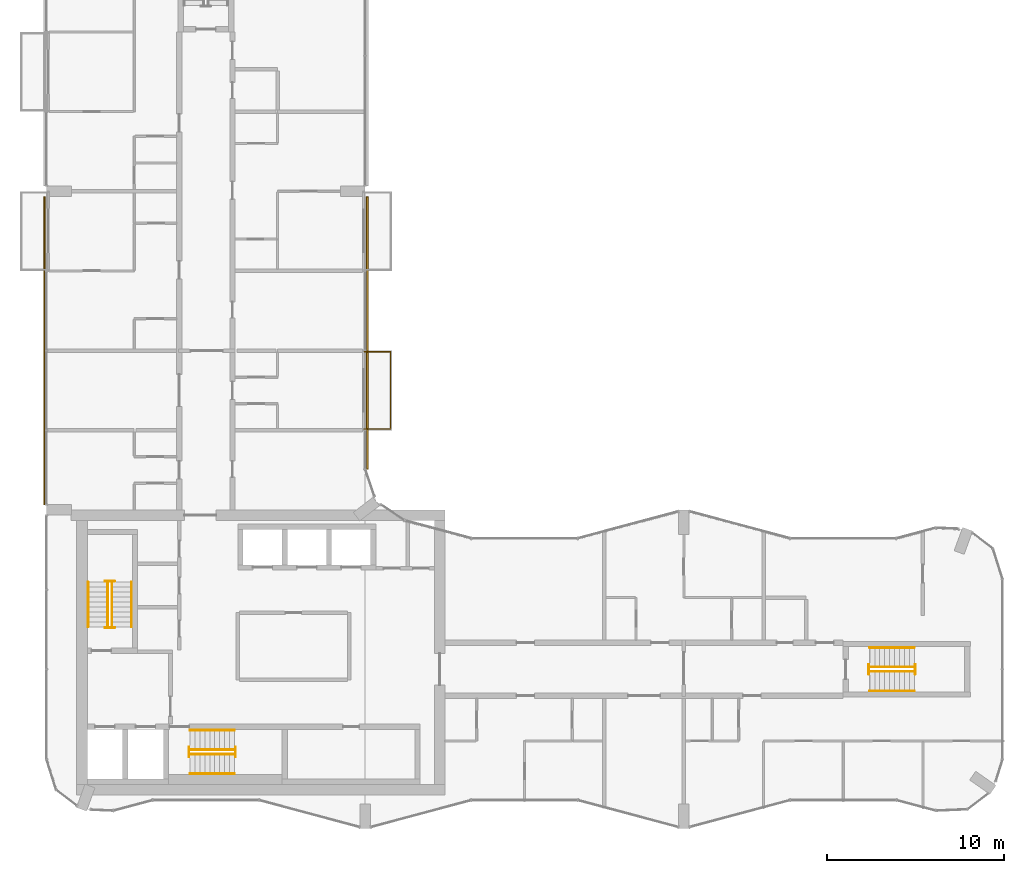
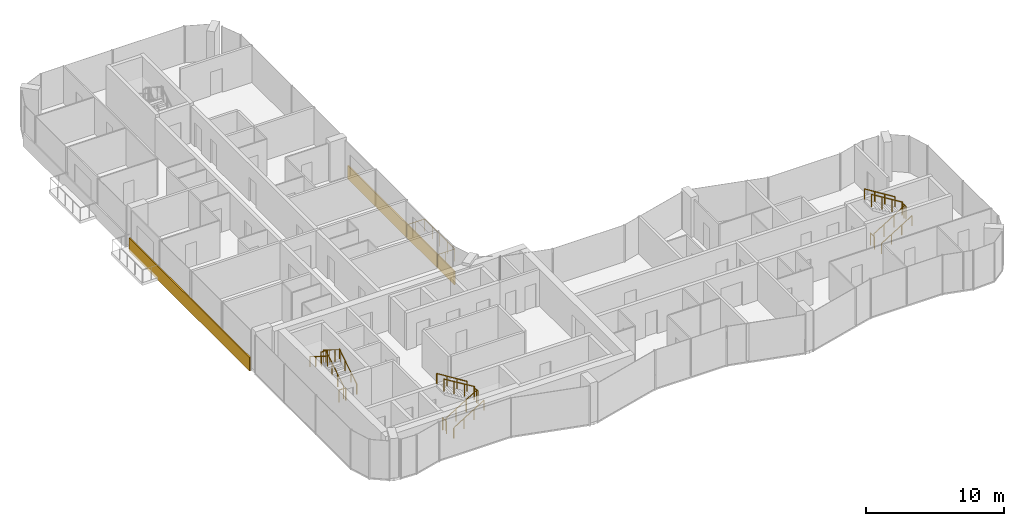
# One storey, part 14 of 15: 19 railings, 2 coverings.
"""IFC4 building model written with IfcOpenShell, lengths in metres."""

from ifc_helpers import new_model, si_unit, direction, frame, origin, origin_2d, place, context, subcontext, project, spatial, rectangle, circle, extrude, material, layer, layer_set, type_object, element, save


model = new_model("IFC4")

# Units and contexts
model_context = context("Model", 3, precision=1e-05, world=origin(), true_north=direction((0.0, 1.0)))
body_context = subcontext(model_context, "Body", "Model", "MODEL_VIEW")
ifc_project = project(units=[si_unit("LENGTHUNIT", "METRE"), si_unit("AREAUNIT", "SQUARE_METRE"), si_unit("VOLUMEUNIT", "CUBIC_METRE"), si_unit("PLANEANGLEUNIT", "RADIAN"), si_unit("MASSUNIT", "GRAM", prefix="KILO")], contexts=[model_context])

# Site, building, storey
site_placement = place(None, origin())
site = spatial("IfcSite", under=ifc_project, at=site_placement, CompositionType="ELEMENT")
building_placement = place(site_placement, origin())
building = spatial("IfcBuilding", under=site, at=building_placement, Name="Plateau Cross Towers", CompositionType="ELEMENT")
storey_placement = place(building_placement, frame((0.0, 0.0, 153.39990234375)))
storey = spatial("IfcBuildingStorey", under=building, at=storey_placement, Name="L39", CompositionType="ELEMENT", Elevation=153.39990234375)

# Railings
ifc_material_1 = material(Name="Stainless steel and toughened glass", Category="steel")
railing_type_1 = type_object("IfcRailingType", Name="Glass balustrade guard 1100", PredefinedType="GUARDRAIL", material=ifc_material_1)
railing_1_placement = place(storey_placement, frame((17.949951171875, 26.929931640625, 0.0)))
element("IfcRailing", 1, at=railing_1_placement, inside=storey, type_object=railing_type_1, Name="Guard guard1", PredefinedType="GUARDRAIL", context=body_context, shape_type="SweptSolid", body=[
    extrude(circle(Radius=0.02392578125, at=origin_2d()), frame((0.0, 0.0, 1.076171875), z_axis=(1.0, 0.0, 0.0), x_axis=(0.0, 1.0, 0.0)), (0.0, 0.0, 1.0), 1.47998046875),
    extrude(circle(Radius=0.02392578125, at=origin_2d()), frame((1.47998046875, 0.0, 1.076171875), z_axis=(0.0, -1.0, 0.0), x_axis=(1.0, 0.0, 0.0)), (0.0, 0.0, 1.0), 4.35986328125),
    extrude(circle(Radius=0.02392578125, at=origin_2d()), frame((1.47998046875, -4.35986328125, 1.076171875), z_axis=(-1.0, 0.0, 0.0), x_axis=(0.0, -1.0, 0.0)), (0.0, 0.0, 1.0), 1.47998046875),
    extrude(circle(Radius=0.02099609375, at=origin_2d()), origin(), (0.0, 0.0, 1.0), 1.052001953125),
    extrude(circle(Radius=0.02099609375, at=origin_2d()), frame((0.739990234375, 0.0, 0.0)), (0.0, 0.0, 1.0), 1.052001953125),
    extrude(circle(Radius=0.02099609375, at=origin_2d()), frame((1.47998046875, 0.0, 0.0)), (0.0, 0.0, 1.0), 1.052001953125),
    extrude(circle(Radius=0.02099609375, at=origin_2d()), frame((1.47998046875, -1.08984375, 0.0)), (0.0, 0.0, 1.0), 1.052001953125),
    extrude(circle(Radius=0.02099609375, at=origin_2d()), frame((1.47998046875, -2.179931640625, 0.0)), (0.0, 0.0, 1.0), 1.052001953125),
    extrude(circle(Radius=0.02099609375, at=origin_2d()), frame((1.47998046875, -3.27001953125, 0.0)), (0.0, 0.0, 1.0), 1.052001953125),
    extrude(circle(Radius=0.02099609375, at=origin_2d()), frame((1.47998046875, -4.35986328125, 0.0)), (0.0, 0.0, 1.0), 1.052001953125),
    extrude(circle(Radius=0.02099609375, at=origin_2d()), frame((0.739990234375, -4.35986328125, 0.0)), (0.0, 0.0, 1.0), 1.052001953125),
    extrude(circle(Radius=0.02099609375, at=origin_2d()), frame((0.0, -4.35986328125, 0.0)), (0.0, 0.0, 1.0), 1.052001953125),
])
railing_type_2 = type_object("IfcRailingType", Name="RL-GUARD-1100", PredefinedType="GUARDRAIL", material=ifc_material_1)
railing_2_placement = place(storey_placement, frame((3.699951171875, 11.39990234375, 0.175048828125)))
element("IfcRailing", 2, at=railing_2_placement, inside=storey, type_object=railing_type_2, Name="L39 ST-1 stair guard 1", PredefinedType="GUARDRAIL", context=body_context, shape_type="SweptSolid", body=[
    extrude(circle(Radius=0.02392578125, at=origin_2d()), frame((0.0, 0.0, 1.076171875), z_axis=(0.0, 0.848007534815, 0.529984170421), x_axis=(-1.0, 0.0, 0.0)), (0.0, 0.0, 1.0), 2.9716796875),
    extrude(circle(Radius=0.02099609375, at=origin_2d()), origin(), (0.0, 0.0, 1.0), 1.052001953125),
    extrude(circle(Radius=0.02099609375, at=origin_2d()), frame((0.0, 0.840087890625, 0.52490234375)), (0.0, 0.0, 1.0), 1.052001953125),
    extrude(circle(Radius=0.02099609375, at=origin_2d()), frame((0.0, 1.679931640625, 1.050048828125)), (0.0, 0.0, 1.0), 1.052001953125),
    extrude(circle(Radius=0.02099609375, at=origin_2d()), frame((0.0, 2.52001953125, 1.574951171875)), (0.0, 0.0, 1.0), 1.052001953125),
])
railing_3_placement = place(storey_placement, frame((3.85009765625, 13.969970703125, 1.75)))
element("IfcRailing", 3, at=railing_3_placement, inside=storey, type_object=railing_type_2, Name="L39 ST-1 stair guard 2", PredefinedType="GUARDRAIL", context=body_context, shape_type="SweptSolid", body=[
    extrude(circle(Radius=0.02392578125, at=origin_2d()), frame((0.0, 0.0, 1.076171875), z_axis=(-1.0, 0.0, 0.0), x_axis=(0.0, -1.0, 0.0)), (0.0, 0.0, 1.0), 0.550048828125),
    extrude(circle(Radius=0.02099609375, at=origin_2d()), origin(), (0.0, 0.0, 1.0), 1.052001953125),
    extrude(circle(Radius=0.02099609375, at=origin_2d()), frame((-0.550048828125, 0.0, 0.0)), (0.0, 0.0, 1.0), 1.052001953125),
])
railing_4_placement = place(storey_placement, frame((3.449951171875, 13.919921875, 1.925048828125)))
element("IfcRailing", 4, at=railing_4_placement, inside=storey, type_object=railing_type_2, Name="L39 ST-1 stair guard 3", PredefinedType="GUARDRAIL", context=body_context, shape_type="SweptSolid", body=[
    extrude(circle(Radius=0.02392578125, at=origin_2d()), frame((0.0, 0.0, 1.076171875), z_axis=(0.0, -0.852616386126, 0.522537365276), x_axis=(1.0, 0.0, 0.0)), (0.0, 0.0, 1.0), 3.01416015625),
    extrude(circle(Radius=0.02099609375, at=origin_2d()), origin(), (0.0, 0.0, 1.0), 1.052001953125),
    extrude(circle(Radius=0.02099609375, at=origin_2d()), frame((0.0, -0.856689453125, 0.52490234375)), (0.0, 0.0, 1.0), 1.052001953125),
    extrude(circle(Radius=0.02099609375, at=origin_2d()), frame((0.0, -1.713134765625, 1.050048828125)), (0.0, 0.0, 1.0), 1.052001953125),
    extrude(circle(Radius=0.02099609375, at=origin_2d()), frame((0.0, -2.56982421875, 1.574951171875)), (0.0, 0.0, 1.0), 1.052001953125),
])
railing_5_placement = place(storey_placement, frame((3.85009765625, 11.35009765625, 0.0)))
element("IfcRailing", 5, at=railing_5_placement, inside=storey, type_object=railing_type_2, Name="L39 ST-1 stair guard 4", PredefinedType="GUARDRAIL", context=body_context, shape_type="SweptSolid", body=[
    extrude(circle(Radius=0.02392578125, at=origin_2d()), frame((0.0, 0.0, 1.076171875), z_axis=(-1.0, 0.0, 0.0), x_axis=(0.0, -1.0, 0.0)), (0.0, 0.0, 1.0), 0.550048828125),
    extrude(circle(Radius=0.02099609375, at=origin_2d()), origin(), (0.0, 0.0, 1.0), 1.052001953125),
    extrude(circle(Radius=0.02099609375, at=origin_2d()), frame((-0.550048828125, 0.0, 0.0)), (0.0, 0.0, 1.0), 1.052001953125),
])
railing_6_placement = place(storey_placement, frame((8.10009765625, 4.199951171875, 0.175048828125)))
element("IfcRailing", 6, at=railing_6_placement, inside=storey, type_object=railing_type_2, Name="L39 ST-2 stair guard 1", PredefinedType="GUARDRAIL", context=body_context, shape_type="SweptSolid", body=[
    extrude(circle(Radius=0.02392578125, at=origin_2d()), frame((0.0, 0.0, 1.076171875), z_axis=(0.848007534815, 0.0, 0.529984170421), x_axis=(0.0, 1.0, 0.0)), (0.0, 0.0, 1.0), 2.9716796875),
    extrude(circle(Radius=0.02099609375, at=origin_2d()), origin(), (0.0, 0.0, 1.0), 1.052001953125),
    extrude(circle(Radius=0.02099609375, at=origin_2d()), frame((0.840087890625, 0.0, 0.52490234375)), (0.0, 0.0, 1.0), 1.052001953125),
    extrude(circle(Radius=0.02099609375, at=origin_2d()), frame((1.679931640625, 0.0, 1.050048828125)), (0.0, 0.0, 1.0), 1.052001953125),
    extrude(circle(Radius=0.02099609375, at=origin_2d()), frame((2.52001953125, 0.0, 1.574951171875)), (0.0, 0.0, 1.0), 1.052001953125),
])
railing_7_placement = place(storey_placement, frame((10.669921875, 4.050048828125, 1.75)))
element("IfcRailing", 7, at=railing_7_placement, inside=storey, type_object=railing_type_2, Name="L39 ST-2 stair guard 2", PredefinedType="GUARDRAIL", context=body_context, shape_type="SweptSolid", body=[
    extrude(circle(Radius=0.02392578125, at=origin_2d()), frame((0.0, 0.0, 1.076171875), z_axis=(0.0, 1.0, 0.0), x_axis=(-1.0, 0.0, 0.0)), (0.0, 0.0, 1.0), 0.550048828125),
    extrude(circle(Radius=0.02099609375, at=origin_2d()), origin(), (0.0, 0.0, 1.0), 1.052001953125),
    extrude(circle(Radius=0.02099609375, at=origin_2d()), frame((0.0, 0.550048828125, 0.0)), (0.0, 0.0, 1.0), 1.052001953125),
])
railing_8_placement = place(storey_placement, frame((10.6201171875, 4.449951171875, 1.925048828125)))
element("IfcRailing", 8, at=railing_8_placement, inside=storey, type_object=railing_type_2, Name="L39 ST-2 stair guard 3", PredefinedType="GUARDRAIL", context=body_context, shape_type="SweptSolid", body=[
    extrude(circle(Radius=0.02392578125, at=origin_2d()), frame((0.0, 0.0, 1.076171875), z_axis=(-0.852638500773, 0.0, 0.522501279423), x_axis=(0.0, -1.0, 0.0)), (0.0, 0.0, 1.0), 3.01416015625),
    extrude(circle(Radius=0.02099609375, at=origin_2d()), origin(), (0.0, 0.0, 1.0), 1.052001953125),
    extrude(circle(Radius=0.02099609375, at=origin_2d()), frame((-0.856689453125, 0.0, 0.52490234375)), (0.0, 0.0, 1.0), 1.052001953125),
    extrude(circle(Radius=0.02099609375, at=origin_2d()), frame((-1.71337890625, 0.0, 1.050048828125)), (0.0, 0.0, 1.0), 1.052001953125),
    extrude(circle(Radius=0.02099609375, at=origin_2d()), frame((-2.570068359375, 0.0, 1.574951171875)), (0.0, 0.0, 1.0), 1.052001953125),
])
railing_9_placement = place(storey_placement, frame((8.050048828125, 4.050048828125, 0.0)))
element("IfcRailing", 9, at=railing_9_placement, inside=storey, type_object=railing_type_2, Name="L39 ST-2 stair guard 4", PredefinedType="GUARDRAIL", context=body_context, shape_type="SweptSolid", body=[
    extrude(circle(Radius=0.02392578125, at=origin_2d()), frame((0.0, 0.0, 1.076171875), z_axis=(0.0, 1.0, 0.0), x_axis=(-1.0, 0.0, 0.0)), (0.0, 0.0, 1.0), 0.550048828125),
    extrude(circle(Radius=0.02099609375, at=origin_2d()), origin(), (0.0, 0.0, 1.0), 1.052001953125),
    extrude(circle(Radius=0.02099609375, at=origin_2d()), frame((0.0, 0.550048828125, 0.0)), (0.0, 0.0, 1.0), 1.052001953125),
])
railing_10_placement = place(storey_placement, frame((46.5, 8.875, 0.175048828125)))
element("IfcRailing", 10, at=railing_10_placement, inside=storey, type_object=railing_type_2, Name="L39 ES-E stair guard 1", PredefinedType="GUARDRAIL", context=body_context, shape_type="SweptSolid", body=[
    extrude(circle(Radius=0.02392578125, at=origin_2d()), frame((0.0, 0.0, 1.076171875), z_axis=(0.848007534815, 0.0, 0.529984170421), x_axis=(0.0, 1.0, 0.0)), (0.0, 0.0, 1.0), 2.9716796875),
    extrude(circle(Radius=0.02099609375, at=origin_2d()), origin(), (0.0, 0.0, 1.0), 1.052001953125),
    extrude(circle(Radius=0.02099609375, at=origin_2d()), frame((0.840087890625, 0.0, 0.52490234375)), (0.0, 0.0, 1.0), 1.052001953125),
    extrude(circle(Radius=0.02099609375, at=origin_2d()), frame((1.679931640625, 0.0, 1.050048828125)), (0.0, 0.0, 1.0), 1.052001953125),
    extrude(circle(Radius=0.02099609375, at=origin_2d()), frame((2.52001953125, 0.0, 1.574951171875)), (0.0, 0.0, 1.0), 1.052001953125),
])
railing_11_placement = place(storey_placement, frame((49.070068359375, 8.72509765625, 1.75)))
element("IfcRailing", 11, at=railing_11_placement, inside=storey, type_object=railing_type_2, Name="L39 ES-E stair guard 2", PredefinedType="GUARDRAIL", context=body_context, shape_type="SweptSolid", body=[
    extrude(circle(Radius=0.02392578125, at=origin_2d()), frame((0.0, 0.0, 1.076171875), z_axis=(0.0, 1.0, 0.0), x_axis=(-1.0, 0.0, 0.0)), (0.0, 0.0, 1.0), 0.5498046875),
    extrude(circle(Radius=0.02099609375, at=origin_2d()), origin(), (0.0, 0.0, 1.0), 1.052001953125),
    extrude(circle(Radius=0.02099609375, at=origin_2d()), frame((0.0, 0.5498046875, 0.0)), (0.0, 0.0, 1.0), 1.052001953125),
])
railing_12_placement = place(storey_placement, frame((49.02001953125, 9.125, 1.925048828125)))
element("IfcRailing", 12, at=railing_12_placement, inside=storey, type_object=railing_type_2, Name="L39 ES-E stair guard 3", PredefinedType="GUARDRAIL", context=body_context, shape_type="SweptSolid", body=[
    extrude(circle(Radius=0.02392578125, at=origin_2d()), frame((0.0, 0.0, 1.076171875), z_axis=(-0.852638500773, 0.0, 0.522501279423), x_axis=(0.0, -1.0, 0.0)), (0.0, 0.0, 1.0), 3.01416015625),
    extrude(circle(Radius=0.02099609375, at=origin_2d()), origin(), (0.0, 0.0, 1.0), 1.052001953125),
    extrude(circle(Radius=0.02099609375, at=origin_2d()), frame((-0.856689453125, 0.0, 0.52490234375)), (0.0, 0.0, 1.0), 1.052001953125),
    extrude(circle(Radius=0.02099609375, at=origin_2d()), frame((-1.71337890625, 0.0, 1.050048828125)), (0.0, 0.0, 1.0), 1.052001953125),
    extrude(circle(Radius=0.02099609375, at=origin_2d()), frame((-2.570068359375, 0.0, 1.574951171875)), (0.0, 0.0, 1.0), 1.052001953125),
])
railing_13_placement = place(storey_placement, frame((46.449951171875, 8.72509765625, 0.0)))
element("IfcRailing", 13, at=railing_13_placement, inside=storey, type_object=railing_type_2, Name="L39 ES-E stair guard 4", PredefinedType="GUARDRAIL", context=body_context, shape_type="SweptSolid", body=[
    extrude(circle(Radius=0.02392578125, at=origin_2d()), frame((0.0, 0.0, 1.076171875), z_axis=(0.0, 1.0, 0.0), x_axis=(-1.0, 0.0, 0.0)), (0.0, 0.0, 1.0), 0.5498046875),
    extrude(circle(Radius=0.02099609375, at=origin_2d()), origin(), (0.0, 0.0, 1.0), 1.052001953125),
    extrude(circle(Radius=0.02099609375, at=origin_2d()), frame((0.0, 0.5498046875, 0.0)), (0.0, 0.0, 1.0), 1.052001953125),
])
ifc_material_2 = material(Name="Black anodised aluminium", Category="aluminium")
railing_type_3 = type_object("IfcRailingType", Name="RL-HANDRAIL-900", PredefinedType="HANDRAIL", material=ifc_material_2)
railing_14_placement = place(storey_placement, frame((4.800048828125, 11.39990234375, 0.175048828125)))
element("IfcRailing", 14, at=railing_14_placement, inside=storey, type_object=railing_type_3, Name="L39 ST-1 stair handrail 1", PredefinedType="HANDRAIL", context=body_context, shape_type="SweptSolid", body=[
    extrude(circle(Radius=0.02392578125, at=origin_2d()), frame((0.0, 0.0, 0.8759765625), z_axis=(0.0, 0.848007534815, 0.529984170421), x_axis=(-1.0, 0.0, 0.0)), (0.0, 0.0, 1.0), 2.9716796875),
    extrude(circle(Radius=0.02099609375, at=origin_2d()), origin(), (0.0, 0.0, 1.0), 0.851806640625),
    extrude(circle(Radius=0.02099609375, at=origin_2d()), frame((0.0, 0.840087890625, 0.52490234375)), (0.0, 0.0, 1.0), 0.851806640625),
    extrude(circle(Radius=0.02099609375, at=origin_2d()), frame((0.0, 1.679931640625, 1.050048828125)), (0.0, 0.0, 1.0), 0.851806640625),
    extrude(circle(Radius=0.02099609375, at=origin_2d()), frame((0.0, 2.52001953125, 1.574951171875)), (0.0, 0.0, 1.0), 0.851806640625),
])
railing_15_placement = place(storey_placement, frame((2.35009765625, 13.919921875, 1.925048828125)))
element("IfcRailing", 15, at=railing_15_placement, inside=storey, type_object=railing_type_3, Name="L39 ST-1 stair handrail 2", PredefinedType="HANDRAIL", context=body_context, shape_type="SweptSolid", body=[
    extrude(circle(Radius=0.02392578125, at=origin_2d()), frame((0.0, 0.0, 0.8759765625), z_axis=(0.0, -0.848007534815, 0.529984170421), x_axis=(1.0, 0.0, 0.0)), (0.0, 0.0, 1.0), 2.9716796875),
    extrude(circle(Radius=0.02099609375, at=origin_2d()), origin(), (0.0, 0.0, 1.0), 0.851806640625),
    extrude(circle(Radius=0.02099609375, at=origin_2d()), frame((0.0, -0.840087890625, 0.52490234375)), (0.0, 0.0, 1.0), 0.851806640625),
    extrude(circle(Radius=0.02099609375, at=origin_2d()), frame((0.0, -1.679931640625, 1.050048828125)), (0.0, 0.0, 1.0), 0.851806640625),
    extrude(circle(Radius=0.02099609375, at=origin_2d()), frame((0.0, -2.52001953125, 1.574951171875)), (0.0, 0.0, 1.0), 0.851806640625),
])
railing_16_placement = place(storey_placement, frame((8.10009765625, 3.10009765625, 0.175048828125)))
element("IfcRailing", 16, at=railing_16_placement, inside=storey, type_object=railing_type_3, Name="L39 ST-2 stair handrail 1", PredefinedType="HANDRAIL", context=body_context, shape_type="SweptSolid", body=[
    extrude(circle(Radius=0.02392578125, at=origin_2d()), frame((0.0, 0.0, 0.8759765625), z_axis=(0.848007534815, 0.0, 0.529984170421), x_axis=(0.0, 1.0, 0.0)), (0.0, 0.0, 1.0), 2.9716796875),
    extrude(circle(Radius=0.02099609375, at=origin_2d()), origin(), (0.0, 0.0, 1.0), 0.851806640625),
    extrude(circle(Radius=0.02099609375, at=origin_2d()), frame((0.840087890625, 0.0, 0.52490234375)), (0.0, 0.0, 1.0), 0.851806640625),
    extrude(circle(Radius=0.02099609375, at=origin_2d()), frame((1.679931640625, 0.0, 1.050048828125)), (0.0, 0.0, 1.0), 0.851806640625),
    extrude(circle(Radius=0.02099609375, at=origin_2d()), frame((2.52001953125, 0.0, 1.574951171875)), (0.0, 0.0, 1.0), 0.851806640625),
])
railing_17_placement = place(storey_placement, frame((10.6201171875, 5.550048828125, 1.925048828125)))
element("IfcRailing", 17, at=railing_17_placement, inside=storey, type_object=railing_type_3, Name="L39 ST-2 stair handrail 2", PredefinedType="HANDRAIL", context=body_context, shape_type="SweptSolid", body=[
    extrude(circle(Radius=0.02392578125, at=origin_2d()), frame((0.0, 0.0, 0.8759765625), z_axis=(-0.848007534815, 0.0, 0.529984170421), x_axis=(0.0, -1.0, 0.0)), (0.0, 0.0, 1.0), 2.9716796875),
    extrude(circle(Radius=0.02099609375, at=origin_2d()), origin(), (0.0, 0.0, 1.0), 0.851806640625),
    extrude(circle(Radius=0.02099609375, at=origin_2d()), frame((-0.840087890625, 0.0, 0.52490234375)), (0.0, 0.0, 1.0), 0.851806640625),
    extrude(circle(Radius=0.02099609375, at=origin_2d()), frame((-1.679931640625, 0.0, 1.050048828125)), (0.0, 0.0, 1.0), 0.851806640625),
    extrude(circle(Radius=0.02099609375, at=origin_2d()), frame((-2.52001953125, 0.0, 1.574951171875)), (0.0, 0.0, 1.0), 0.851806640625),
])
railing_18_placement = place(storey_placement, frame((46.5, 7.77490234375, 0.175048828125)))
element("IfcRailing", 18, at=railing_18_placement, inside=storey, type_object=railing_type_3, Name="L39 ES-E stair handrail 1", PredefinedType="HANDRAIL", context=body_context, shape_type="SweptSolid", body=[
    extrude(circle(Radius=0.02392578125, at=origin_2d()), frame((0.0, 0.0, 0.8759765625), z_axis=(0.848007534815, 0.0, 0.529984170421), x_axis=(0.0, 1.0, 0.0)), (0.0, 0.0, 1.0), 2.9716796875),
    extrude(circle(Radius=0.02099609375, at=origin_2d()), origin(), (0.0, 0.0, 1.0), 0.851806640625),
    extrude(circle(Radius=0.02099609375, at=origin_2d()), frame((0.840087890625, 0.0, 0.52490234375)), (0.0, 0.0, 1.0), 0.851806640625),
    extrude(circle(Radius=0.02099609375, at=origin_2d()), frame((1.679931640625, 0.0, 1.050048828125)), (0.0, 0.0, 1.0), 0.851806640625),
    extrude(circle(Radius=0.02099609375, at=origin_2d()), frame((2.52001953125, 0.0, 1.574951171875)), (0.0, 0.0, 1.0), 0.851806640625),
])
railing_19_placement = place(storey_placement, frame((49.02001953125, 10.22509765625, 1.925048828125)))
element("IfcRailing", 19, at=railing_19_placement, inside=storey, type_object=railing_type_3, Name="L39 ES-E stair handrail 2", PredefinedType="HANDRAIL", context=body_context, shape_type="SweptSolid", body=[
    extrude(circle(Radius=0.02392578125, at=origin_2d()), frame((0.0, 0.0, 0.8759765625), z_axis=(-0.848007534815, 0.0, 0.529984170421), x_axis=(0.0, -1.0, 0.0)), (0.0, 0.0, 1.0), 2.9716796875),
    extrude(circle(Radius=0.02099609375, at=origin_2d()), origin(), (0.0, 0.0, 1.0), 0.851806640625),
    extrude(circle(Radius=0.02099609375, at=origin_2d()), frame((-0.840087890625, 0.0, 0.52490234375)), (0.0, 0.0, 1.0), 0.851806640625),
    extrude(circle(Radius=0.02099609375, at=origin_2d()), frame((-1.679931640625, 0.0, 1.050048828125)), (0.0, 0.0, 1.0), 0.851806640625),
    extrude(circle(Radius=0.02099609375, at=origin_2d()), frame((-2.52001953125, 0.0, 1.574951171875)), (0.0, 0.0, 1.0), 0.851806640625),
])

# Coverings
ifc_material_3 = material(Name="Precast concrete cladding C40/50", Category="concrete")
ifc_layer = layer(ifc_material_3, 0.10009765625)
ifc_layer_set = layer_set([ifc_layer], Name="Precast concrete cladding C40/50")
covering_type = type_object("IfcCoveringType", Name="Spandrel band cladding 100x1200", PredefinedType="CLADDING", material=ifc_layer_set)
covering_1_placement = place(storey_placement, frame((18.1201171875, 28.001220703125, -0.25), z_axis=(0.0, 0.0, 1.0), x_axis=(0.0, 1.0, 0.0)))
element("IfcCovering", 20, at=covering_1_placement, inside=storey, type_object=covering_type, Name="Spandrel band", PredefinedType="CLADDING", context=body_context, shape_type="SweptSolid", body=[
    extrude(rectangle(XDim=15.397705078125, YDim=0.10009765625, at=origin_2d()), origin(), (0.0, 0.0, 1.0), 1.199951171875),
])
covering_2_placement = place(storey_placement, frame((-0.1201171875, 27.0, -0.25), z_axis=(0.0, 0.0, 1.0), x_axis=(0.0, -1.0, 0.0)))
element("IfcCovering", 21, at=covering_2_placement, inside=storey, type_object=covering_type, Name="Spandrel band", PredefinedType="CLADDING", context=body_context, shape_type="SweptSolid", body=[
    extrude(rectangle(XDim=17.39990234375, YDim=0.10009765625, at=origin_2d()), origin(), (0.0, 0.0, 1.0), 1.199951171875),
])

save(model, "model.ifc")
